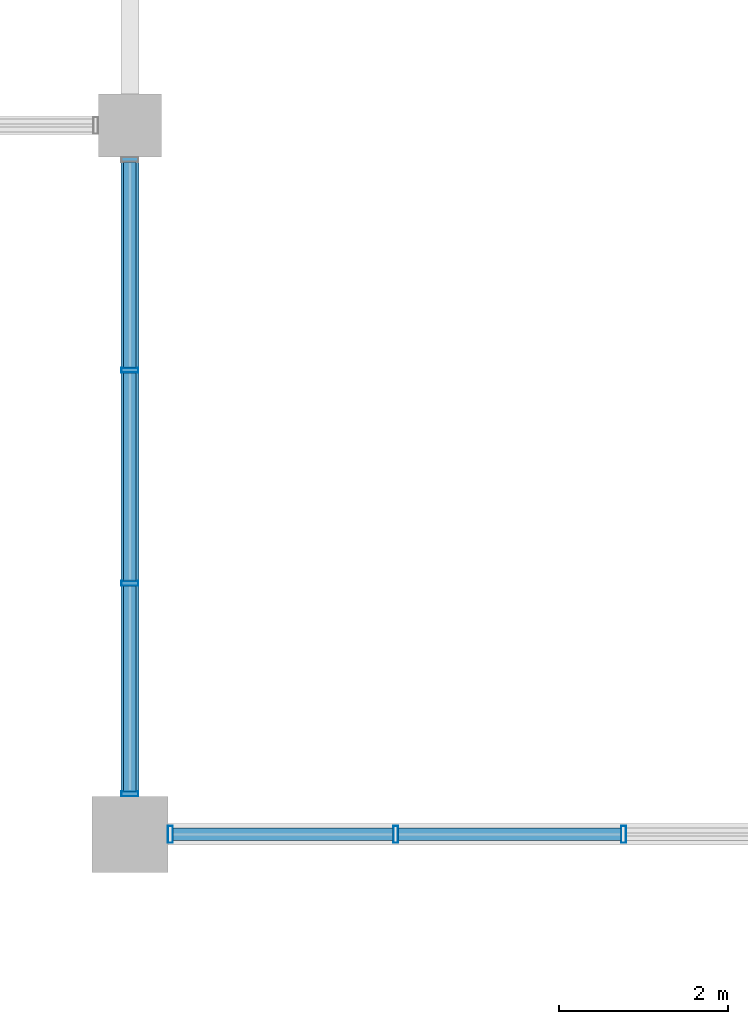
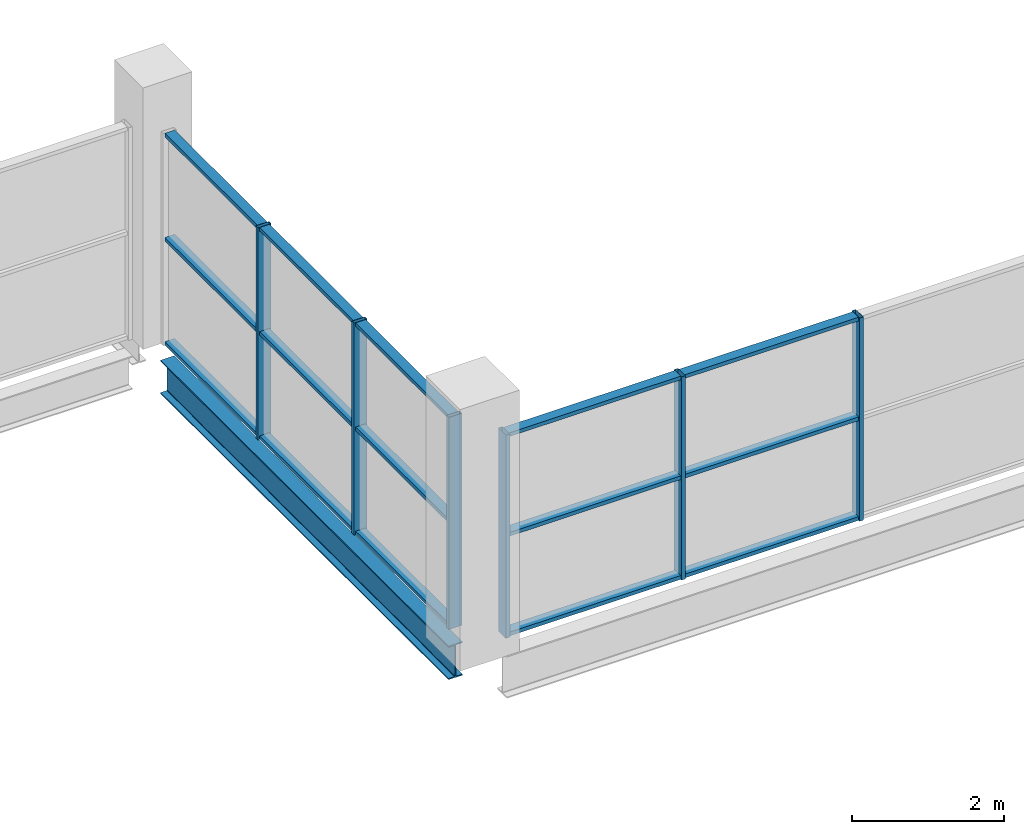
# One storey, part 10 of 93: 21 members, 1 beam, 2 elements without a shape of their own.
"""IFC4 building model written with IfcOpenShell, lengths in metres."""

from ifc_helpers import new_model, si_unit, direction, frame, origin, origin_2d, place, context, subcontext, project, spatial, hollow_rectangle, i_section, extrude, material, material_profile, profile_set, type_object, element, aggregate, save


model = new_model("IFC4")

# Units and contexts
model_context = context("Model", 3, precision=1e-05, world=origin(), true_north=direction((0.0, 1.0)))
body_context = subcontext(model_context, "Body", "Model", "MODEL_VIEW")
ifc_project = project(units=[si_unit("LENGTHUNIT", "METRE"), si_unit("AREAUNIT", "SQUARE_METRE"), si_unit("VOLUMEUNIT", "CUBIC_METRE"), si_unit("PLANEANGLEUNIT", "RADIAN"), si_unit("MASSUNIT", "GRAM", prefix="KILO"), si_unit("THERMODYNAMICTEMPERATUREUNIT", "KELVIN")], contexts=[model_context])

# Site, building, storey
site_placement = place(None, origin())
site = spatial("IfcSite", under=ifc_project, at=site_placement, CompositionType="ELEMENT")
building_placement = place(site_placement, origin())
building = spatial("IfcBuilding", under=site, at=building_placement, Name="Nduvali Passage Aquatics Centre", CompositionType="ELEMENT")
storey_placement = place(building_placement, frame((0.0, 0.0, 9.0)))
storey = spatial("IfcBuildingStorey", under=building, at=storey_placement, Name="L02", CompositionType="ELEMENT", Elevation=9.0)

# Curtain wall, members
ifc_material_1 = material(Name="Aluminium EN AW-6063 T6", Category="aluminium")
curtain_wall_type = type_object("IfcCurtainWallType", Name="ENV-CW-CLER", PredefinedType="NOTDEFINED", material=ifc_material_1)
curtain_wall_1_placement = place(storey_placement, origin())
curtain_wall_1 = element("IfcCurtainWall", 1, at=curtain_wall_1_placement, inside=storey, type_object=curtain_wall_type, Name="L02 West Pool Hall Mid Clerestory 003", PredefinedType="NOTDEFINED")
ifc_material_profile_1 = material_profile(ifc_material_1, hollow_rectangle(XDim=0.06005859375, YDim=0.199951171875, WallThickness=0.00390625, at=origin_2d()), Name="ALU MULLION 60x200x4")
ifc_profile_set_1 = profile_set([ifc_material_profile_1], Name="Aluminium EN AW-6063 T6")
member_type_1 = type_object("IfcMemberType", Name="ENV-MEM-MUL80", PredefinedType="MULLION", material=ifc_profile_set_1)
member_1_placement = place(storey_placement, frame((25.199951171875, 25.679931640625, 0.0), z_axis=(0.0, 0.0, 1.0), x_axis=(0.0, 1.0, 0.0)))
member_1 = element("IfcMember", 2, at=member_1_placement, type_object=member_type_1, Name="West Pool Hall Mid Clerestory Mullion 1", PredefinedType="MULLION", context=body_context, shape_type="SweptSolid", body=[
    extrude(hollow_rectangle(XDim=0.06005859375, YDim=0.199951171875, WallThickness=0.00390625, at=origin_2d()), origin(), (0.0, 0.0, 1.0), 3.406494140625),
])
member_2_placement = place(storey_placement, frame((25.199951171875, 28.175048828125, 0.0), z_axis=(0.0, 0.0, 1.0), x_axis=(0.0, 1.0, 0.0)))
member_2 = element("IfcMember", 3, at=member_2_placement, type_object=member_type_1, Name="West Pool Hall Mid Clerestory Mullion 2", PredefinedType="MULLION", context=body_context, shape_type="SweptSolid", body=[
    extrude(hollow_rectangle(XDim=0.06005859375, YDim=0.199951171875, WallThickness=0.00390625, at=origin_2d()), origin(), (0.0, 0.0, 1.0), 3.406494140625),
])
member_3_placement = place(storey_placement, frame((25.199951171875, 30.699951171875, 0.0), z_axis=(0.0, 0.0, 1.0), x_axis=(0.0, 1.0, 0.0)))
member_3 = element("IfcMember", 4, at=member_3_placement, type_object=member_type_1, Name="West Pool Hall Mid Clerestory Mullion 3", PredefinedType="MULLION", context=body_context, shape_type="SweptSolid", body=[
    extrude(hollow_rectangle(XDim=0.06005859375, YDim=0.199951171875, WallThickness=0.00390625, at=origin_2d()), origin(), (0.0, 0.0, 1.0), 3.406494140625),
])

curtain_wall_2_placement = place(storey_placement, origin())
curtain_wall_2 = element("IfcCurtainWall", 5, at=curtain_wall_2_placement, inside=storey, type_object=curtain_wall_type, Name="L02 South Pool Hall Corner Clerestory 045", PredefinedType="NOTDEFINED")
member_4_placement = place(storey_placement, frame((25.679931640625, 25.199951171875, 0.0), z_axis=(0.0, 0.0, 1.0), x_axis=(1.0, 0.0, 0.0)))
member_4 = element("IfcMember", 6, at=member_4_placement, type_object=member_type_1, Name="South Pool Hall Corner Clerestory Mullion 1", PredefinedType="MULLION", context=body_context, shape_type="SweptSolid", body=[
    extrude(hollow_rectangle(XDim=0.06005859375, YDim=0.199951171875, WallThickness=0.00390625, at=origin_2d()), origin(), (0.0, 0.0, 1.0), 3.2626953125),
])
member_5_placement = place(storey_placement, frame((28.35009765625, 25.199951171875, 0.0), z_axis=(0.0, 0.0, 1.0), x_axis=(1.0, 0.0, 0.0)))
member_5 = element("IfcMember", 7, at=member_5_placement, type_object=member_type_1, Name="South Pool Hall Corner Clerestory Mullion 2", PredefinedType="MULLION", context=body_context, shape_type="SweptSolid", body=[
    extrude(hollow_rectangle(XDim=0.06005859375, YDim=0.199951171875, WallThickness=0.00390625, at=origin_2d()), origin(), (0.0, 0.0, 1.0), 3.2626953125),
])
member_6_placement = place(storey_placement, frame((31.050048828125, 25.199951171875, 0.0), z_axis=(0.0, 0.0, 1.0), x_axis=(1.0, 0.0, 0.0)))
member_6 = element("IfcMember", 8, at=member_6_placement, type_object=member_type_1, Name="South Pool Hall Corner Clerestory Mullion 3", PredefinedType="MULLION", context=body_context, shape_type="SweptSolid", body=[
    extrude(hollow_rectangle(XDim=0.06005859375, YDim=0.199951171875, WallThickness=0.00390625, at=origin_2d()), origin(), (0.0, 0.0, 1.0), 3.2626953125),
])

# Member
ifc_material_profile_2 = material_profile(ifc_material_1, hollow_rectangle(XDim=0.14990234375, YDim=0.06005859375, WallThickness=0.00390625, at=origin_2d()), Name="ALU TRANSOM 150x60x4")
ifc_profile_set_2 = profile_set([ifc_material_profile_2], Name="Aluminium EN AW-6063 T6")
member_type_2 = type_object("IfcMemberType", Name="ENV-MEM-TRN80", PredefinedType="USERDEFINED", material=ifc_profile_set_2)
member_7_placement = place(storey_placement, frame((25.199951171875, 25.7099609375, 0.030029296875), z_axis=(0.0, 1.0, 0.0), x_axis=(-1.0, 0.0, 0.0)))
member_7 = element("IfcMember", 9, at=member_7_placement, type_object=member_type_2, Name="West Pool Hall Mid Clerestory Transom B1-R0", ObjectType="TRANSOM", PredefinedType="USERDEFINED", context=body_context, shape_type="SweptSolid", body=[
    extrude(hollow_rectangle(XDim=0.14990234375, YDim=0.06005859375, WallThickness=0.00390625, at=origin_2d()), origin(), (0.0, 0.0, 1.0), 2.43505859375),
])

member_8_placement = place(storey_placement, frame((25.199951171875, 25.7099609375, 1.703125), z_axis=(0.0, 1.0, 0.0), x_axis=(-1.0, 0.0, 0.0)))
member_8 = element("IfcMember", 10, at=member_8_placement, type_object=member_type_2, Name="West Pool Hall Mid Clerestory Transom B1-R1", ObjectType="TRANSOM", PredefinedType="USERDEFINED", context=body_context, shape_type="SweptSolid", body=[
    extrude(hollow_rectangle(XDim=0.14990234375, YDim=0.06005859375, WallThickness=0.00390625, at=origin_2d()), origin(), (0.0, 0.0, 1.0), 2.43505859375),
])

member_9_placement = place(storey_placement, frame((25.199951171875, 25.7099609375, 3.37646484375), z_axis=(0.0, 1.0, 0.0), x_axis=(-1.0, 0.0, 0.0)))
member_9 = element("IfcMember", 11, at=member_9_placement, type_object=member_type_2, Name="West Pool Hall Mid Clerestory Transom B1-R2", ObjectType="TRANSOM", PredefinedType="USERDEFINED", context=body_context, shape_type="SweptSolid", body=[
    extrude(hollow_rectangle(XDim=0.14990234375, YDim=0.06005859375, WallThickness=0.00390625, at=origin_2d()), origin(), (0.0, 0.0, 1.0), 2.43505859375),
])

member_10_placement = place(storey_placement, frame((25.199951171875, 28.205078125, 0.030029296875), z_axis=(0.0, 1.0, 0.0), x_axis=(-1.0, 0.0, 0.0)))
member_10 = element("IfcMember", 12, at=member_10_placement, type_object=member_type_2, Name="West Pool Hall Mid Clerestory Transom B2-R0", ObjectType="TRANSOM", PredefinedType="USERDEFINED", context=body_context, shape_type="SweptSolid", body=[
    extrude(hollow_rectangle(XDim=0.14990234375, YDim=0.06005859375, WallThickness=0.00390625, at=origin_2d()), origin(), (0.0, 0.0, 1.0), 2.46484375),
])

member_11_placement = place(storey_placement, frame((25.199951171875, 28.205078125, 1.703125), z_axis=(0.0, 1.0, 0.0), x_axis=(-1.0, 0.0, 0.0)))
member_11 = element("IfcMember", 13, at=member_11_placement, type_object=member_type_2, Name="West Pool Hall Mid Clerestory Transom B2-R1", ObjectType="TRANSOM", PredefinedType="USERDEFINED", context=body_context, shape_type="SweptSolid", body=[
    extrude(hollow_rectangle(XDim=0.14990234375, YDim=0.06005859375, WallThickness=0.00390625, at=origin_2d()), origin(), (0.0, 0.0, 1.0), 2.46484375),
])

member_12_placement = place(storey_placement, frame((25.199951171875, 28.205078125, 3.37646484375), z_axis=(0.0, 1.0, 0.0), x_axis=(-1.0, 0.0, 0.0)))
member_12 = element("IfcMember", 14, at=member_12_placement, type_object=member_type_2, Name="West Pool Hall Mid Clerestory Transom B2-R2", ObjectType="TRANSOM", PredefinedType="USERDEFINED", context=body_context, shape_type="SweptSolid", body=[
    extrude(hollow_rectangle(XDim=0.14990234375, YDim=0.06005859375, WallThickness=0.00390625, at=origin_2d()), origin(), (0.0, 0.0, 1.0), 2.46484375),
])

member_13_placement = place(storey_placement, frame((25.199951171875, 30.72998046875, 0.030029296875), z_axis=(0.0, 1.0, 0.0), x_axis=(-1.0, 0.0, 0.0)))
member_13 = element("IfcMember", 15, at=member_13_placement, type_object=member_type_2, Name="West Pool Hall Mid Clerestory Transom B3-R0", ObjectType="TRANSOM", PredefinedType="USERDEFINED", context=body_context, shape_type="SweptSolid", body=[
    extrude(hollow_rectangle(XDim=0.14990234375, YDim=0.06005859375, WallThickness=0.00390625, at=origin_2d()), origin(), (0.0, 0.0, 1.0), 2.43505859375),
])

member_14_placement = place(storey_placement, frame((25.199951171875, 30.72998046875, 1.703125), z_axis=(0.0, 1.0, 0.0), x_axis=(-1.0, 0.0, 0.0)))
member_14 = element("IfcMember", 16, at=member_14_placement, type_object=member_type_2, Name="West Pool Hall Mid Clerestory Transom B3-R1", ObjectType="TRANSOM", PredefinedType="USERDEFINED", context=body_context, shape_type="SweptSolid", body=[
    extrude(hollow_rectangle(XDim=0.14990234375, YDim=0.06005859375, WallThickness=0.00390625, at=origin_2d()), origin(), (0.0, 0.0, 1.0), 2.43505859375),
])

member_15_placement = place(storey_placement, frame((25.199951171875, 30.72998046875, 3.37646484375), z_axis=(0.0, 1.0, 0.0), x_axis=(-1.0, 0.0, 0.0)))
member_15 = element("IfcMember", 17, at=member_15_placement, type_object=member_type_2, Name="West Pool Hall Mid Clerestory Transom B3-R2", ObjectType="TRANSOM", PredefinedType="USERDEFINED", context=body_context, shape_type="SweptSolid", body=[
    extrude(hollow_rectangle(XDim=0.14990234375, YDim=0.06005859375, WallThickness=0.00390625, at=origin_2d()), origin(), (0.0, 0.0, 1.0), 2.43505859375),
])

aggregate(curtain_wall_1, [member_1, member_2, member_3, member_7, member_8, member_9, member_10, member_11, member_12, member_13, member_14, member_15])

member_16_placement = place(storey_placement, frame((25.7099609375, 25.199951171875, 0.030029296875), z_axis=(1.0, 0.0, 0.0), x_axis=(0.0, 1.0, 0.0)))
member_16 = element("IfcMember", 18, at=member_16_placement, type_object=member_type_2, Name="South Pool Hall Corner Clerestory Transom B1-R0", ObjectType="TRANSOM", PredefinedType="USERDEFINED", context=body_context, shape_type="SweptSolid", body=[
    extrude(hollow_rectangle(XDim=0.14990234375, YDim=0.06005859375, WallThickness=0.00390625, at=origin_2d()), origin(), (0.0, 0.0, 1.0), 2.610107421875),
])

member_17_placement = place(storey_placement, frame((25.7099609375, 25.199951171875, 1.63134765625), z_axis=(1.0, 0.0, 0.0), x_axis=(0.0, 1.0, 0.0)))
member_17 = element("IfcMember", 19, at=member_17_placement, type_object=member_type_2, Name="South Pool Hall Corner Clerestory Transom B1-R1", ObjectType="TRANSOM", PredefinedType="USERDEFINED", context=body_context, shape_type="SweptSolid", body=[
    extrude(hollow_rectangle(XDim=0.14990234375, YDim=0.06005859375, WallThickness=0.00390625, at=origin_2d()), origin(), (0.0, 0.0, 1.0), 2.610107421875),
])

member_18_placement = place(storey_placement, frame((25.7099609375, 25.199951171875, 3.232666015625), z_axis=(1.0, 0.0, 0.0), x_axis=(0.0, 1.0, 0.0)))
member_18 = element("IfcMember", 20, at=member_18_placement, type_object=member_type_2, Name="South Pool Hall Corner Clerestory Transom B1-R2", ObjectType="TRANSOM", PredefinedType="USERDEFINED", context=body_context, shape_type="SweptSolid", body=[
    extrude(hollow_rectangle(XDim=0.14990234375, YDim=0.06005859375, WallThickness=0.00390625, at=origin_2d()), origin(), (0.0, 0.0, 1.0), 2.610107421875),
])

member_19_placement = place(storey_placement, frame((28.3798828125, 25.199951171875, 0.030029296875), z_axis=(1.0, 0.0, 0.0), x_axis=(0.0, 1.0, 0.0)))
member_19 = element("IfcMember", 21, at=member_19_placement, type_object=member_type_2, Name="South Pool Hall Corner Clerestory Transom B2-R0", ObjectType="TRANSOM", PredefinedType="USERDEFINED", context=body_context, shape_type="SweptSolid", body=[
    extrude(hollow_rectangle(XDim=0.14990234375, YDim=0.06005859375, WallThickness=0.00390625, at=origin_2d()), origin(), (0.0, 0.0, 1.0), 2.64013671875),
])

member_20_placement = place(storey_placement, frame((28.3798828125, 25.199951171875, 1.63134765625), z_axis=(1.0, 0.0, 0.0), x_axis=(0.0, 1.0, 0.0)))
member_20 = element("IfcMember", 22, at=member_20_placement, type_object=member_type_2, Name="South Pool Hall Corner Clerestory Transom B2-R1", ObjectType="TRANSOM", PredefinedType="USERDEFINED", context=body_context, shape_type="SweptSolid", body=[
    extrude(hollow_rectangle(XDim=0.14990234375, YDim=0.06005859375, WallThickness=0.00390625, at=origin_2d()), origin(), (0.0, 0.0, 1.0), 2.64013671875),
])

member_21_placement = place(storey_placement, frame((28.3798828125, 25.199951171875, 3.232666015625), z_axis=(1.0, 0.0, 0.0), x_axis=(0.0, 1.0, 0.0)))
member_21 = element("IfcMember", 23, at=member_21_placement, type_object=member_type_2, Name="South Pool Hall Corner Clerestory Transom B2-R2", ObjectType="TRANSOM", PredefinedType="USERDEFINED", context=body_context, shape_type="SweptSolid", body=[
    extrude(hollow_rectangle(XDim=0.14990234375, YDim=0.06005859375, WallThickness=0.00390625, at=origin_2d()), origin(), (0.0, 0.0, 1.0), 2.64013671875),
])

aggregate(curtain_wall_2, [member_4, member_5, member_6, member_16, member_17, member_18, member_19, member_20, member_21])

# Beam
ifc_material_2 = material(Name="Steel S355", Category="steel")
ifc_material_profile_3 = material_profile(ifc_material_2, i_section(OverallWidth=0.210693359375, OverallDepth=0.53955078125, WebThickness=0.01171875, FlangeThickness=0.018798828125, FilletRadius=0.0126953125, at=origin_2d()), Name="UKB 533x210x109")
ifc_profile_set_3 = profile_set([ifc_material_profile_3], Name="Steel S355")
beam_type = type_object("IfcBeamType", Name="STR-BM-UKB533-EXT", PredefinedType="BEAM", material=ifc_profile_set_3)
beam_placement = place(storey_placement, frame((25.199951171875, 25.64990234375, -0.53369140625), z_axis=(0.0, 1.0, 0.0), x_axis=(-1.0, 0.0, 0.0)))
element("IfcBeam", 24, at=beam_placement, inside=storey, type_object=beam_type, Name="L02 Primary Y-Girder B6E-0960", PredefinedType="BEAM", context=body_context, shape_type="SweptSolid", body=[
    extrude(i_section(OverallWidth=0.210693359375, OverallDepth=0.53955078125, WebThickness=0.01171875, FlangeThickness=0.018798828125, FilletRadius=0.0126953125, at=origin_2d()), origin(), (0.0, 0.0, 1.0), 7.5751953125),
])

save(model, "model.ifc")
